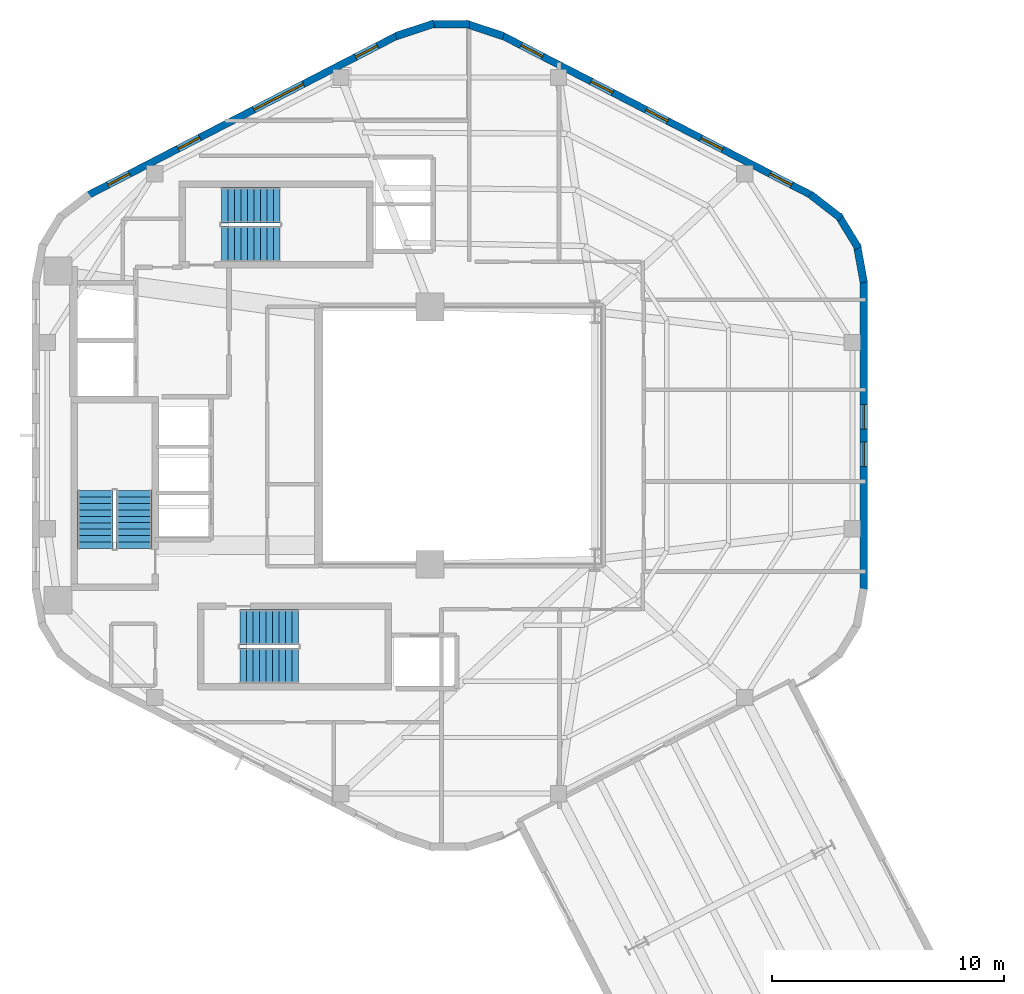
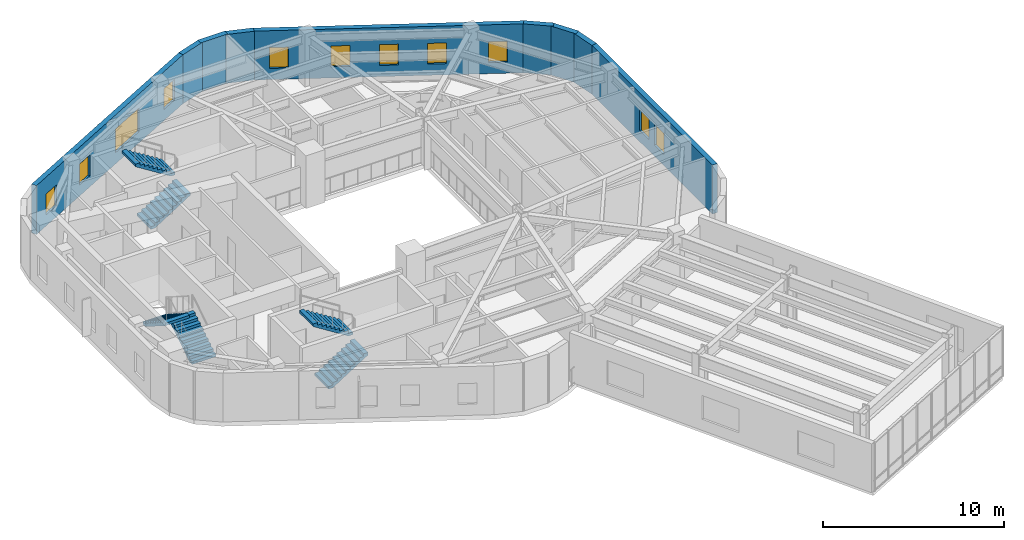
# One storey, part 9 of 11: 11 windows, 9 walls, 6 stair flights, 11 openings, 3 elements without a shape of their own.
"""IFC4 building model written with IfcOpenShell, lengths in metres."""

from ifc_helpers import new_model, si_unit, direction, frame, frame_2d, origin, place, context, subcontext, project, spatial, polyline, rectangle, outline, extrude, material, layer, layer_set, type_object, element, fill, aggregate, save


model = new_model("IFC4")

# Units and contexts
model_context = context("Model", 3, precision=1e-05, world=origin(), true_north=direction((0.0, 1.0)))
body_context = subcontext(model_context, "Body", "Model", "MODEL_VIEW")
ifc_project = project(units=[si_unit("LENGTHUNIT", "METRE"), si_unit("AREAUNIT", "SQUARE_METRE"), si_unit("VOLUMEUNIT", "CUBIC_METRE"), si_unit("PLANEANGLEUNIT", "RADIAN"), si_unit("MASSUNIT", "GRAM", prefix="KILO"), si_unit("THERMODYNAMICTEMPERATUREUNIT", "KELVIN"), si_unit("POWERUNIT", "WATT")], contexts=[model_context])

# Site, building, storey
site_placement = place(None, origin())
site = spatial("IfcSite", under=ifc_project, at=site_placement, CompositionType="ELEMENT")
building_placement = place(site_placement, origin())
building = spatial("IfcBuilding", under=site, at=building_placement, Name="Skarre Station Tower", CompositionType="ELEMENT")
storey_placement = place(building_placement, frame((0.0, 0.0, 241.89990234375)))
storey = spatial("IfcBuildingStorey", under=building, at=storey_placement, Name="L66", CompositionType="ELEMENT", Elevation=241.89990234375)

# Walls
ifc_material_1 = material(Name="Precast concrete C45/55", Category="concrete")
ifc_layer_1 = layer(ifc_material_1, 0.330078125, Name="Precast concrete C45/55")
ifc_layer_set_1 = layer_set([ifc_layer_1], Name="Precast concrete C45/55")
wall_type_1 = type_object("IfcWallType", Name="Nordic Rounded Corner Precast Wall 330", PredefinedType="STANDARD", material=ifc_layer_set_1)
wall_1_placement = place(storey_placement, frame((48.7529296875, 34.40087890625, 0.0), z_axis=(0.0, 0.0, 1.0), x_axis=(0.790691856293, -0.61221433207, 0.0)))
element("IfcWall", 1, at=wall_1_placement, inside=storey, type_object=wall_type_1, Name="L66 Rounded Corner Precast Wall F0-1", PredefinedType="STANDARD", context=body_context, shape_type="SweptSolid", body=[
    extrude(rectangle(XDim=1.67578125, YDim=0.330078125, at=frame_2d((0.837890625, 0.0))), origin(), (0.0, 0.0, 1.0), 3.2900390625),
])
wall_2_placement = place(storey_placement, frame((49.952880859375, 33.514892578125, 0.0), z_axis=(0.0, 0.0, 1.0), x_axis=(0.520325409202, -0.853968072318, 0.0)))
element("IfcWall", 2, at=wall_2_placement, inside=storey, type_object=wall_type_1, Name="L66 Rounded Corner Precast Wall F0-2", PredefinedType="STANDARD", context=body_context, shape_type="SweptSolid", body=[
    extrude(rectangle(XDim=1.677978515625, YDim=0.330078125, at=frame_2d((0.8388671875, 0.0))), origin(), (0.0, 0.0, 1.0), 3.2900390625),
])
wall_3_placement = place(storey_placement, frame((50.759033203125, 32.257080078125, 0.0), z_axis=(0.0, 0.0, 1.0), x_axis=(0.180691763044, -0.983539773862, 0.0)))
element("IfcWall", 3, at=wall_3_placement, inside=storey, type_object=wall_type_1, Name="L66 Rounded Corner Precast Wall F0-3", PredefinedType="STANDARD", context=body_context, shape_type="SweptSolid", body=[
    extrude(rectangle(XDim=1.6767578125, YDim=0.330078125, at=frame_2d((0.83837890625, 0.0))), origin(), (0.0, 0.0, 1.0), 3.2900390625),
])
wall_4_placement = place(storey_placement, frame((30.882080078125, 41.23095703125, 0.0), z_axis=(0.0, 0.0, 1.0), x_axis=(0.949713440491, 0.313120393699, 0.0)))
element("IfcWall", 4, at=wall_4_placement, inside=storey, type_object=wall_type_1, Name="L66 Rounded Corner Precast Wall F1-1", PredefinedType="STANDARD", context=body_context, shape_type="SweptSolid", body=[
    extrude(rectangle(XDim=1.7216796875, YDim=0.330078125, at=frame_2d((0.86083984375, 0.0))), origin(), (0.0, 0.0, 1.0), 3.2900390625),
])
wall_5_placement = place(storey_placement, frame((32.339111328125, 41.740966796875, 0.0), z_axis=(0.0, 0.0, 1.0), x_axis=(1.0, 0.0, 0.0)))
element("IfcWall", 5, at=wall_5_placement, inside=storey, type_object=wall_type_1, Name="L66 Rounded Corner Precast Wall F1-2", PredefinedType="STANDARD", context=body_context, shape_type="SweptSolid", body=[
    extrude(rectangle(XDim=1.721923828125, YDim=0.330078125, at=frame_2d((0.86083984375, 0.0))), origin(), (0.0, 0.0, 1.0), 3.2900390625),
])
wall_6_placement = place(storey_placement, frame((33.883056640625, 41.77001953125, 0.0), z_axis=(0.0, 0.0, 1.0), x_axis=(0.949713440491, -0.313120393699, 0.0)))
element("IfcWall", 6, at=wall_6_placement, inside=storey, type_object=wall_type_1, Name="L66 Rounded Corner Precast Wall F1-3", PredefinedType="STANDARD", context=body_context, shape_type="SweptSolid", body=[
    extrude(rectangle(XDim=1.7216796875, YDim=0.330078125, at=frame_2d((0.86083984375, 0.0))), origin(), (0.0, 0.0, 1.0), 3.2900390625),
])

# Wall, openings, windows
ifc_layer_2 = layer(ifc_material_1, 0.31005859375, Name="Precast concrete C45/55")
ifc_layer_set_2 = layer_set([ifc_layer_2], Name="Precast concrete C45/55")
wall_type_2 = type_object("IfcWallType", Name="Nordic Upper-Zone Precast Facet Wall 310", PredefinedType="STANDARD", material=ifc_layer_set_2)
wall_7_placement = place(storey_placement, frame((35.43701171875, 41.27001953125, 0.0), z_axis=(0.0, 0.0, 1.0), x_axis=(0.888581481622, -0.458718814218, 0.0)))
wall_7 = element("IfcWall", 7, at=wall_7_placement, inside=storey, type_object=wall_type_2, Name="L66 Facet 0 Nordic Precast Masonry Wall", PredefinedType="STANDARD", context=body_context, shape_type="SweptSolid", body=[
    extrude(rectangle(XDim=15.076904296875, YDim=0.31005859375, at=frame_2d((7.53857421875, 0.0))), origin(), (0.0, 0.0, 1.0), 3.2900390625),
])
opening_1_placement = place(wall_7_placement, frame((0.94189453125, 0.0, 0.75)))
opening_1 = element("IfcOpeningElement", 8, at=opening_1_placement, cuts=wall_7, Name="Opening WN-SLT", PredefinedType="OPENING", context=body_context, shape_type="SweptSolid", body=[
    extrude(rectangle(XDim=1.050048828125, YDim=1.39990234375, at=frame_2d((0.52490234375, 0.699951171875))), frame((0.0, 0.1650390625, 0.0), z_axis=(0.0, -1.0, 0.0), x_axis=(1.0, 0.0, 0.0)), (0.0, 0.0, 1.0), 0.330078125),
])
opening_2_placement = place(wall_7_placement, frame((4.343994140625, 0.0, 0.75)))
opening_2 = element("IfcOpeningElement", 9, at=opening_2_placement, cuts=wall_7, Name="Opening WN-SLT", PredefinedType="OPENING", context=body_context, shape_type="SweptSolid", body=[
    extrude(rectangle(XDim=1.050048828125, YDim=1.39990234375, at=frame_2d((0.52490234375, 0.699951171875))), frame((0.0, 0.1650390625, 0.0), z_axis=(0.0, -1.0, 0.0), x_axis=(1.0, 0.0, 0.0)), (0.0, 0.0, 1.0), 0.330078125),
])
opening_3_placement = place(wall_7_placement, frame((7.012939453125, 0.0, 0.75)))
opening_3 = element("IfcOpeningElement", 10, at=opening_3_placement, cuts=wall_7, Name="Opening WN-SLT", PredefinedType="OPENING", context=body_context, shape_type="SweptSolid", body=[
    extrude(rectangle(XDim=1.050048828125, YDim=1.39990234375, at=frame_2d((0.52490234375, 0.699951171875))), frame((0.0, 0.1650390625, 0.0), z_axis=(0.0, -1.0, 0.0), x_axis=(1.0, 0.0, 0.0)), (0.0, 0.0, 1.0), 0.330078125),
])
opening_4_placement = place(wall_7_placement, frame((9.680908203125, 0.0, 0.75)))
opening_4 = element("IfcOpeningElement", 11, at=opening_4_placement, cuts=wall_7, Name="Opening WN-SLT", PredefinedType="OPENING", context=body_context, shape_type="SweptSolid", body=[
    extrude(rectangle(XDim=1.050048828125, YDim=1.39990234375, at=frame_2d((0.52490234375, 0.699951171875))), frame((0.0, 0.1650390625, 0.0), z_axis=(0.0, -1.0, 0.0), x_axis=(1.0, 0.0, 0.0)), (0.0, 0.0, 1.0), 0.330078125),
])
opening_5_placement = place(wall_7_placement, frame((13.029052734375, 0.0, 0.75)))
opening_5 = element("IfcOpeningElement", 12, at=opening_5_placement, cuts=wall_7, Name="Opening WN-SLT", PredefinedType="OPENING", context=body_context, shape_type="SweptSolid", body=[
    extrude(rectangle(XDim=1.050048828125, YDim=1.39990234375, at=frame_2d((0.52490234375, 0.699951171875))), frame((0.0, 0.1650390625, 0.0), z_axis=(0.0, -1.0, 0.0), x_axis=(1.0, 0.0, 0.0)), (0.0, 0.0, 1.0), 0.330078125),
])
ifc_material_2 = material(Name="Low-Iron Triple Glazing with Bronze Anodized Frame", Category="glass")
window_type_1 = type_object("IfcWindowType", Name="Nordic Corner Slot Window 1050x1400", PartitioningType="SINGLE_PANEL", PredefinedType="WINDOW", material=ifc_material_2)
window_1_placement = place(opening_1_placement, origin())
window_1 = element("IfcWindow", 13, at=window_1_placement, inside=storey, type_object=window_type_1, Name="L66 Facade Window WL-FAC-L66-F0-1", OverallHeight=1.39990234375, OverallWidth=1.050048828125, PartitioningType="SINGLE_PANEL", PredefinedType="WINDOW", context=body_context, shape_type="SweptSolid", body=[
    extrude(rectangle(XDim=1.050048828125, YDim=1.39990234375, at=frame_2d((0.52490234375, 0.699951171875))), frame((0.0, 0.030029296875, 0.0), z_axis=(0.0, -1.0, 0.0), x_axis=(1.0, 0.0, 0.0)), (0.0, 0.0, 1.0), 0.06005859375),
])
fill(opening_1, window_1)
window_2_placement = place(opening_2_placement, origin())
window_2 = element("IfcWindow", 14, at=window_2_placement, inside=storey, type_object=window_type_1, Name="L66 Facade Window WL-FAC-L66-F0-2", OverallHeight=1.39990234375, OverallWidth=1.050048828125, PartitioningType="SINGLE_PANEL", PredefinedType="WINDOW", context=body_context, shape_type="SweptSolid", body=[
    extrude(rectangle(XDim=1.050048828125, YDim=1.39990234375, at=frame_2d((0.52490234375, 0.699951171875))), frame((0.0, 0.030029296875, 0.0), z_axis=(0.0, -1.0, 0.0), x_axis=(1.0, 0.0, 0.0)), (0.0, 0.0, 1.0), 0.06005859375),
])
fill(opening_2, window_2)
window_3_placement = place(opening_3_placement, origin())
window_3 = element("IfcWindow", 15, at=window_3_placement, inside=storey, type_object=window_type_1, Name="L66 Facade Window WL-FAC-L66-F0-3", OverallHeight=1.39990234375, OverallWidth=1.050048828125, PartitioningType="SINGLE_PANEL", PredefinedType="WINDOW", context=body_context, shape_type="SweptSolid", body=[
    extrude(rectangle(XDim=1.050048828125, YDim=1.39990234375, at=frame_2d((0.52490234375, 0.699951171875))), frame((0.0, 0.030029296875, 0.0), z_axis=(0.0, -1.0, 0.0), x_axis=(1.0, 0.0, 0.0)), (0.0, 0.0, 1.0), 0.06005859375),
])
fill(opening_3, window_3)
window_4_placement = place(opening_4_placement, origin())
window_4 = element("IfcWindow", 16, at=window_4_placement, inside=storey, type_object=window_type_1, Name="L66 Facade Window WL-FAC-L66-F0-4", OverallHeight=1.39990234375, OverallWidth=1.050048828125, PartitioningType="SINGLE_PANEL", PredefinedType="WINDOW", context=body_context, shape_type="SweptSolid", body=[
    extrude(rectangle(XDim=1.050048828125, YDim=1.39990234375, at=frame_2d((0.52490234375, 0.699951171875))), frame((0.0, 0.030029296875, 0.0), z_axis=(0.0, -1.0, 0.0), x_axis=(1.0, 0.0, 0.0)), (0.0, 0.0, 1.0), 0.06005859375),
])
fill(opening_4, window_4)
window_5_placement = place(opening_5_placement, origin())
window_5 = element("IfcWindow", 17, at=window_5_placement, inside=storey, type_object=window_type_1, Name="L66 Facade Window WL-FAC-L66-F0-5", OverallHeight=1.39990234375, OverallWidth=1.050048828125, PartitioningType="SINGLE_PANEL", PredefinedType="WINDOW", context=body_context, shape_type="SweptSolid", body=[
    extrude(rectangle(XDim=1.050048828125, YDim=1.39990234375, at=frame_2d((0.52490234375, 0.699951171875))), frame((0.0, 0.030029296875, 0.0), z_axis=(0.0, -1.0, 0.0), x_axis=(1.0, 0.0, 0.0)), (0.0, 0.0, 1.0), 0.06005859375),
])
fill(opening_5, window_5)

wall_8_placement = place(storey_placement, frame((17.56591796875, 34.35400390625, 0.0), z_axis=(0.0, 0.0, 1.0), x_axis=(0.888581481622, 0.458718814218, 0.0)))
wall_8 = element("IfcWall", 18, at=wall_8_placement, inside=storey, type_object=wall_type_2, Name="L66 Facet 1 Nordic Precast Masonry Wall", PredefinedType="STANDARD", context=body_context, shape_type="SweptSolid", body=[
    extrude(rectangle(XDim=15.076904296875, YDim=0.31005859375, at=frame_2d((7.53857421875, 0.0))), origin(), (0.0, 0.0, 1.0), 3.2900390625),
])
opening_6_placement = place(wall_8_placement, frame((0.998046875, 0.0, 0.75)))
opening_6 = element("IfcOpeningElement", 19, at=opening_6_placement, cuts=wall_8, Name="Opening WN-SLT", PredefinedType="OPENING", context=body_context, shape_type="SweptSolid", body=[
    extrude(rectangle(XDim=1.050048828125, YDim=1.39990234375, at=frame_2d((0.52490234375, 0.699951171875))), frame((0.0, 0.1650390625, 0.0), z_axis=(0.0, -1.0, 0.0), x_axis=(1.0, 0.0, 0.0)), (0.0, 0.0, 1.0), 0.330078125),
])
opening_7_placement = place(wall_8_placement, frame((4.403076171875, 0.0, 0.75)))
opening_7 = element("IfcOpeningElement", 20, at=opening_7_placement, cuts=wall_8, Name="Opening WN-SLT", PredefinedType="OPENING", context=body_context, shape_type="SweptSolid", body=[
    extrude(rectangle(XDim=1.050048828125, YDim=1.39990234375, at=frame_2d((0.52490234375, 0.699951171875))), frame((0.0, 0.1650390625, 0.0), z_axis=(0.0, -1.0, 0.0), x_axis=(1.0, 0.0, 0.0)), (0.0, 0.0, 1.0), 0.330078125),
])
opening_8_placement = place(wall_8_placement, frame((8.0859375, 0.0, 0.75)))
opening_8 = element("IfcOpeningElement", 21, at=opening_8_placement, cuts=wall_8, Name="Opening WN-Z4A", PredefinedType="OPENING", context=body_context, shape_type="SweptSolid", body=[
    extrude(rectangle(XDim=2.39990234375, YDim=1.60009765625, at=frame_2d((1.199951171875, 0.800048828125))), frame((0.0, 0.1650390625, 0.0), z_axis=(0.0, -1.0, 0.0), x_axis=(1.0, 0.0, 0.0)), (0.0, 0.0, 1.0), 0.330078125),
])
opening_9_placement = place(wall_8_placement, frame((13.029052734375, 0.0, 0.75)))
opening_9 = element("IfcOpeningElement", 22, at=opening_9_placement, cuts=wall_8, Name="Opening WN-SLT", PredefinedType="OPENING", context=body_context, shape_type="SweptSolid", body=[
    extrude(rectangle(XDim=1.050048828125, YDim=1.39990234375, at=frame_2d((0.52490234375, 0.699951171875))), frame((0.0, 0.1650390625, 0.0), z_axis=(0.0, -1.0, 0.0), x_axis=(1.0, 0.0, 0.0)), (0.0, 0.0, 1.0), 0.330078125),
])
window_6_placement = place(opening_6_placement, origin())
window_6 = element("IfcWindow", 23, at=window_6_placement, inside=storey, type_object=window_type_1, Name="L66 Facade Window WL-FAC-L66-F1-1", OverallHeight=1.39990234375, OverallWidth=1.050048828125, PartitioningType="SINGLE_PANEL", PredefinedType="WINDOW", context=body_context, shape_type="SweptSolid", body=[
    extrude(rectangle(XDim=1.050048828125, YDim=1.39990234375, at=frame_2d((0.52490234375, 0.699951171875))), frame((0.0, 0.030029296875, 0.0), z_axis=(0.0, -1.0, 0.0), x_axis=(1.0, 0.0, 0.0)), (0.0, 0.0, 1.0), 0.06005859375),
])
fill(opening_6, window_6)
window_7_placement = place(opening_7_placement, origin())
window_7 = element("IfcWindow", 24, at=window_7_placement, inside=storey, type_object=window_type_1, Name="L66 Facade Window WL-FAC-L66-F1-2", OverallHeight=1.39990234375, OverallWidth=1.050048828125, PartitioningType="SINGLE_PANEL", PredefinedType="WINDOW", context=body_context, shape_type="SweptSolid", body=[
    extrude(rectangle(XDim=1.050048828125, YDim=1.39990234375, at=frame_2d((0.52490234375, 0.699951171875))), frame((0.0, 0.030029296875, 0.0), z_axis=(0.0, -1.0, 0.0), x_axis=(1.0, 0.0, 0.0)), (0.0, 0.0, 1.0), 0.06005859375),
])
fill(opening_7, window_7)
window_8_placement = place(opening_9_placement, origin())
window_8 = element("IfcWindow", 25, at=window_8_placement, inside=storey, type_object=window_type_1, Name="L66 Facade Window WL-FAC-L66-F1-4", OverallHeight=1.39990234375, OverallWidth=1.050048828125, PartitioningType="SINGLE_PANEL", PredefinedType="WINDOW", context=body_context, shape_type="SweptSolid", body=[
    extrude(rectangle(XDim=1.050048828125, YDim=1.39990234375, at=frame_2d((0.52490234375, 0.699951171875))), frame((0.0, 0.030029296875, 0.0), z_axis=(0.0, -1.0, 0.0), x_axis=(1.0, 0.0, 0.0)), (0.0, 0.0, 1.0), 0.06005859375),
])
fill(opening_9, window_8)
window_type_2 = type_object("IfcWindowType", Name="Nordic Crown Panorama Window 2400x1600", PartitioningType="SINGLE_PANEL", PredefinedType="WINDOW", material=ifc_material_2)
window_9_placement = place(opening_8_placement, origin())
window_9 = element("IfcWindow", 26, at=window_9_placement, inside=storey, type_object=window_type_2, Name="L66 Facade Window WL-FAC-L66-F1-3", OverallHeight=1.60009765625, OverallWidth=2.39990234375, PartitioningType="SINGLE_PANEL", PredefinedType="WINDOW", context=body_context, shape_type="SweptSolid", body=[
    extrude(rectangle(XDim=2.39990234375, YDim=1.60009765625, at=frame_2d((1.199951171875, 0.800048828125))), frame((0.0, 0.030029296875, 0.0), z_axis=(0.0, -1.0, 0.0), x_axis=(1.0, 0.0, 0.0)), (0.0, 0.0, 1.0), 0.06005859375),
])
fill(opening_8, window_9)

wall_9_placement = place(storey_placement, frame((51.05810546875, 30.701904296875, 0.0), z_axis=(0.0, 0.0, 1.0), x_axis=(0.0, -1.0, 0.0)))
wall_9 = element("IfcWall", 27, at=wall_9_placement, inside=storey, type_object=wall_type_2, Name="L66 Facet 5 Nordic Precast Masonry Wall", PredefinedType="STANDARD", context=body_context, shape_type="SweptSolid", body=[
    extrude(rectangle(XDim=13.40380859375, YDim=0.31005859375, at=frame_2d((6.701904296875, 0.0))), origin(), (0.0, 0.0, 1.0), 3.2900390625),
])
opening_10_placement = place(wall_9_placement, frame((5.368896484375, 0.0, 0.75)))
opening_10 = element("IfcOpeningElement", 28, at=opening_10_placement, cuts=wall_9, Name="Opening WN-SLT", PredefinedType="OPENING", context=body_context, shape_type="SweptSolid", body=[
    extrude(rectangle(XDim=1.050048828125, YDim=1.39990234375, at=frame_2d((0.52490234375, 0.699951171875))), frame((0.0, 0.1650390625, 0.0), z_axis=(0.0, -1.0, 0.0), x_axis=(1.0, 0.0, 0.0)), (0.0, 0.0, 1.0), 0.330078125),
])
opening_11_placement = place(wall_9_placement, frame((6.985107421875, 0.0, 0.75)))
opening_11 = element("IfcOpeningElement", 29, at=opening_11_placement, cuts=wall_9, Name="Opening WN-SLT", PredefinedType="OPENING", context=body_context, shape_type="SweptSolid", body=[
    extrude(rectangle(XDim=1.050048828125, YDim=1.39990234375, at=frame_2d((0.52490234375, 0.699951171875))), frame((0.0, 0.1650390625, 0.0), z_axis=(0.0, -1.0, 0.0), x_axis=(1.0, 0.0, 0.0)), (0.0, 0.0, 1.0), 0.330078125),
])
window_10_placement = place(opening_10_placement, origin())
window_10 = element("IfcWindow", 30, at=window_10_placement, inside=storey, type_object=window_type_1, Name="L66 Facade Window WL-FAC-L66-F5-1", OverallHeight=1.39990234375, OverallWidth=1.050048828125, PartitioningType="SINGLE_PANEL", PredefinedType="WINDOW", context=body_context, shape_type="SweptSolid", body=[
    extrude(rectangle(XDim=1.050048828125, YDim=1.39990234375, at=frame_2d((0.52490234375, 0.699951171875))), frame((0.0, 0.030029296875, 0.0), z_axis=(0.0, -1.0, 0.0), x_axis=(1.0, 0.0, 0.0)), (0.0, 0.0, 1.0), 0.06005859375),
])
fill(opening_10, window_10)
window_11_placement = place(opening_11_placement, origin())
window_11 = element("IfcWindow", 31, at=window_11_placement, inside=storey, type_object=window_type_1, Name="L66 Facade Window WL-FAC-L66-F5-2", OverallHeight=1.39990234375, OverallWidth=1.050048828125, PartitioningType="SINGLE_PANEL", PredefinedType="WINDOW", context=body_context, shape_type="SweptSolid", body=[
    extrude(rectangle(XDim=1.050048828125, YDim=1.39990234375, at=frame_2d((0.52490234375, 0.699951171875))), frame((0.0, 0.030029296875, 0.0), z_axis=(0.0, -1.0, 0.0), x_axis=(1.0, 0.0, 0.0)), (0.0, 0.0, 1.0), 0.06005859375),
])
fill(opening_11, window_11)

# Stair, stair flights
ifc_material_3 = material(Name="Concrete C40/50", Category="concrete")
stair_type_1 = type_object("IfcStairType", Name="Reinforced Concrete Exit Stair ST-1", PredefinedType="HALF_TURN_STAIR", material=ifc_material_3)
stair_1_placement = place(storey_placement, origin())
stair_1 = element("IfcStair", 32, at=stair_1_placement, inside=storey, type_object=stair_type_1, Name="L66 Core Exit Stair ST-1", PredefinedType="HALF_TURN_STAIR")
stair_flight_type_1 = type_object("IfcStairFlightType", Name="Reinforced Concrete Stair Flight ST-1", PredefinedType="STRAIGHT", material=ifc_material_3)
stair_flight_1_placement = place(storey_placement, frame((19.590087890625, 19.1201171875, 0.0), z_axis=(0.0, 0.0, 1.0), x_axis=(0.0, 1.0, 0.0)))
stair_flight_1 = element("IfcStairFlight", 33, at=stair_flight_1_placement, type_object=stair_flight_type_1, Name="ST-1 flight 1", NumberOfRisers=10, NumberOfTreads=9, PredefinedType="STRAIGHT", RiserHeight=0.1775, TreadLength=0.28, context=body_context, shape_type="SweptSolid", body=[
    extrude(outline(polyline([(0.0, 0.0), (0.0, 0.177490234375), (0.280029296875, 0.177490234375), (0.280029296875, 0.35498046875), (0.56005859375, 0.35498046875), (0.56005859375, 0.532470703125), (0.840087890625, 0.532470703125), (0.840087890625, 0.7099609375), (1.1201171875, 0.7099609375), (1.1201171875, 0.887451171875), (1.39990234375, 0.887451171875), (1.39990234375, 1.06494140625), (1.679931640625, 1.06494140625), (1.679931640625, 1.242431640625), (1.9599609375, 1.242431640625), (1.9599609375, 1.419921875), (2.239990234375, 1.419921875), (2.239990234375, 1.597412109375), (2.52001953125, 1.597412109375), (2.52001953125, 1.77490234375), (2.52001953125, 1.419921875), (0.280029296875, 0.0), (0.0, 0.0)])), frame((0.0, 0.760009765625, 0.0), z_axis=(0.0, -1.0, 0.0), x_axis=(1.0, 0.0, 0.0)), (0.0, 0.0, 1.0), 1.52001953125),
])
stair_flight_2_placement = place(storey_placement, frame((17.909912109375, 21.639892578125, 1.775146484375), z_axis=(0.0, 0.0, 1.0), x_axis=(0.0, -1.0, 0.0)))
stair_flight_2 = element("IfcStairFlight", 34, at=stair_flight_2_placement, type_object=stair_flight_type_1, Name="ST-1 flight 2", NumberOfRisers=10, NumberOfTreads=9, PredefinedType="STRAIGHT", RiserHeight=0.1775, TreadLength=0.28, context=body_context, shape_type="SweptSolid", body=[
    extrude(outline(polyline([(0.0, 0.0), (0.0, 0.177490234375), (0.280029296875, 0.177490234375), (0.280029296875, 0.35498046875), (0.56005859375, 0.35498046875), (0.56005859375, 0.532470703125), (0.840087890625, 0.532470703125), (0.840087890625, 0.7099609375), (1.1201171875, 0.7099609375), (1.1201171875, 0.887451171875), (1.39990234375, 0.887451171875), (1.39990234375, 1.06494140625), (1.679931640625, 1.06494140625), (1.679931640625, 1.242431640625), (1.9599609375, 1.242431640625), (1.9599609375, 1.419921875), (2.239990234375, 1.419921875), (2.239990234375, 1.597412109375), (2.52001953125, 1.597412109375), (2.52001953125, 1.77490234375), (2.52001953125, 1.419921875), (0.280029296875, 0.0), (0.0, 0.0)])), frame((0.0, 0.760009765625, 0.0), z_axis=(0.0, -1.0, 0.0), x_axis=(1.0, 0.0, 0.0)), (0.0, 0.0, 1.0), 1.52001953125),
])
aggregate(stair_1, [stair_flight_1, stair_flight_2])

stair_type_2 = type_object("IfcStairType", Name="Reinforced Concrete Exit Stair ST-2", PredefinedType="HALF_TURN_STAIR", material=ifc_material_3)
stair_2_placement = place(storey_placement, origin())
stair_2 = element("IfcStair", 35, at=stair_2_placement, inside=storey, type_object=stair_type_2, Name="L66 Core Exit Stair ST-2", PredefinedType="HALF_TURN_STAIR")
stair_flight_type_2 = type_object("IfcStairFlightType", Name="Reinforced Concrete Stair Flight ST-2", PredefinedType="STRAIGHT", material=ifc_material_3)
stair_flight_3_placement = place(storey_placement, frame((24.14990234375, 14.06005859375, 0.0), z_axis=(0.0, 0.0, 1.0), x_axis=(1.0, 0.0, 0.0)))
stair_flight_3 = element("IfcStairFlight", 36, at=stair_flight_3_placement, type_object=stair_flight_type_2, Name="ST-2 flight 1", NumberOfRisers=10, NumberOfTreads=9, PredefinedType="STRAIGHT", RiserHeight=0.1775, TreadLength=0.28, context=body_context, shape_type="SweptSolid", body=[
    extrude(outline(polyline([(0.0, 0.0), (0.0, 0.177490234375), (0.280029296875, 0.177490234375), (0.280029296875, 0.35498046875), (0.56005859375, 0.35498046875), (0.56005859375, 0.532470703125), (0.840087890625, 0.532470703125), (0.840087890625, 0.7099609375), (1.1201171875, 0.7099609375), (1.1201171875, 0.887451171875), (1.39990234375, 0.887451171875), (1.39990234375, 1.06494140625), (1.679931640625, 1.06494140625), (1.679931640625, 1.242431640625), (1.9599609375, 1.242431640625), (1.9599609375, 1.419921875), (2.239990234375, 1.419921875), (2.239990234375, 1.597412109375), (2.52001953125, 1.597412109375), (2.52001953125, 1.77490234375), (2.52001953125, 1.419921875), (0.280029296875, 0.0), (0.0, 0.0)])), frame((0.0, 0.760009765625, 0.0), z_axis=(0.0, -1.0, 0.0), x_axis=(1.0, 0.0, 0.0)), (0.0, 0.0, 1.0), 1.52001953125),
])
stair_flight_4_placement = place(storey_placement, frame((26.669921875, 15.739990234375, 1.775146484375), z_axis=(0.0, 0.0, 1.0), x_axis=(-1.0, 0.0, 0.0)))
stair_flight_4 = element("IfcStairFlight", 37, at=stair_flight_4_placement, type_object=stair_flight_type_2, Name="ST-2 flight 2", NumberOfRisers=10, NumberOfTreads=9, PredefinedType="STRAIGHT", RiserHeight=0.1775, TreadLength=0.28, context=body_context, shape_type="SweptSolid", body=[
    extrude(outline(polyline([(0.0, 0.0), (0.0, 0.177490234375), (0.280029296875, 0.177490234375), (0.280029296875, 0.35498046875), (0.56005859375, 0.35498046875), (0.56005859375, 0.532470703125), (0.840087890625, 0.532470703125), (0.840087890625, 0.7099609375), (1.1201171875, 0.7099609375), (1.1201171875, 0.887451171875), (1.39990234375, 0.887451171875), (1.39990234375, 1.06494140625), (1.679931640625, 1.06494140625), (1.679931640625, 1.242431640625), (1.9599609375, 1.242431640625), (1.9599609375, 1.419921875), (2.239990234375, 1.419921875), (2.239990234375, 1.597412109375), (2.52001953125, 1.597412109375), (2.52001953125, 1.77490234375), (2.52001953125, 1.419921875), (0.280029296875, 0.0), (0.0, 0.0)])), frame((0.0, 0.760009765625, 0.0), z_axis=(0.0, -1.0, 0.0), x_axis=(1.0, 0.0, 0.0)), (0.0, 0.0, 1.0), 1.52001953125),
])
aggregate(stair_2, [stair_flight_3, stair_flight_4])

stair_type_3 = type_object("IfcStairType", Name="Reinforced Concrete Exit Stair ST-3", PredefinedType="HALF_TURN_STAIR", material=ifc_material_3)
stair_3_placement = place(storey_placement, origin())
stair_3 = element("IfcStair", 38, at=stair_3_placement, inside=storey, type_object=stair_type_3, Name="L66 Core Exit Stair ST-3", PredefinedType="HALF_TURN_STAIR")
stair_flight_type_3 = type_object("IfcStairFlightType", Name="Reinforced Concrete Stair Flight ST-3", PredefinedType="STRAIGHT", material=ifc_material_3)
stair_flight_5_placement = place(storey_placement, frame((23.35009765625, 32.260009765625, 0.0), z_axis=(0.0, 0.0, 1.0), x_axis=(1.0, 0.0, 0.0)))
stair_flight_5 = element("IfcStairFlight", 39, at=stair_flight_5_placement, type_object=stair_flight_type_3, Name="ST-3 flight 1", NumberOfRisers=10, NumberOfTreads=9, PredefinedType="STRAIGHT", RiserHeight=0.1775, TreadLength=0.28, context=body_context, shape_type="SweptSolid", body=[
    extrude(outline(polyline([(0.0, 0.0), (0.0, 0.177490234375), (0.280029296875, 0.177490234375), (0.280029296875, 0.35498046875), (0.56005859375, 0.35498046875), (0.56005859375, 0.532470703125), (0.840087890625, 0.532470703125), (0.840087890625, 0.7099609375), (1.1201171875, 0.7099609375), (1.1201171875, 0.887451171875), (1.39990234375, 0.887451171875), (1.39990234375, 1.06494140625), (1.679931640625, 1.06494140625), (1.679931640625, 1.242431640625), (1.9599609375, 1.242431640625), (1.9599609375, 1.419921875), (2.239990234375, 1.419921875), (2.239990234375, 1.597412109375), (2.52001953125, 1.597412109375), (2.52001953125, 1.77490234375), (2.52001953125, 1.419921875), (0.280029296875, 0.0), (0.0, 0.0)])), frame((0.0, 0.760009765625, 0.0), z_axis=(0.0, -1.0, 0.0), x_axis=(1.0, 0.0, 0.0)), (0.0, 0.0, 1.0), 1.52001953125),
])
stair_flight_6_placement = place(storey_placement, frame((25.8701171875, 33.93994140625, 1.775146484375), z_axis=(0.0, 0.0, 1.0), x_axis=(-1.0, 0.0, 0.0)))
stair_flight_6 = element("IfcStairFlight", 40, at=stair_flight_6_placement, type_object=stair_flight_type_3, Name="ST-3 flight 2", NumberOfRisers=10, NumberOfTreads=9, PredefinedType="STRAIGHT", RiserHeight=0.1775, TreadLength=0.28, context=body_context, shape_type="SweptSolid", body=[
    extrude(outline(polyline([(0.0, 0.0), (0.0, 0.177490234375), (0.280029296875, 0.177490234375), (0.280029296875, 0.35498046875), (0.56005859375, 0.35498046875), (0.56005859375, 0.532470703125), (0.840087890625, 0.532470703125), (0.840087890625, 0.7099609375), (1.1201171875, 0.7099609375), (1.1201171875, 0.887451171875), (1.39990234375, 0.887451171875), (1.39990234375, 1.06494140625), (1.679931640625, 1.06494140625), (1.679931640625, 1.242431640625), (1.9599609375, 1.242431640625), (1.9599609375, 1.419921875), (2.239990234375, 1.419921875), (2.239990234375, 1.597412109375), (2.52001953125, 1.597412109375), (2.52001953125, 1.77490234375), (2.52001953125, 1.419921875), (0.280029296875, 0.0), (0.0, 0.0)])), frame((0.0, 0.760009765625, 0.0), z_axis=(0.0, -1.0, 0.0), x_axis=(1.0, 0.0, 0.0)), (0.0, 0.0, 1.0), 1.52001953125),
])
aggregate(stair_3, [stair_flight_5, stair_flight_6])

save(model, "model.ifc")
